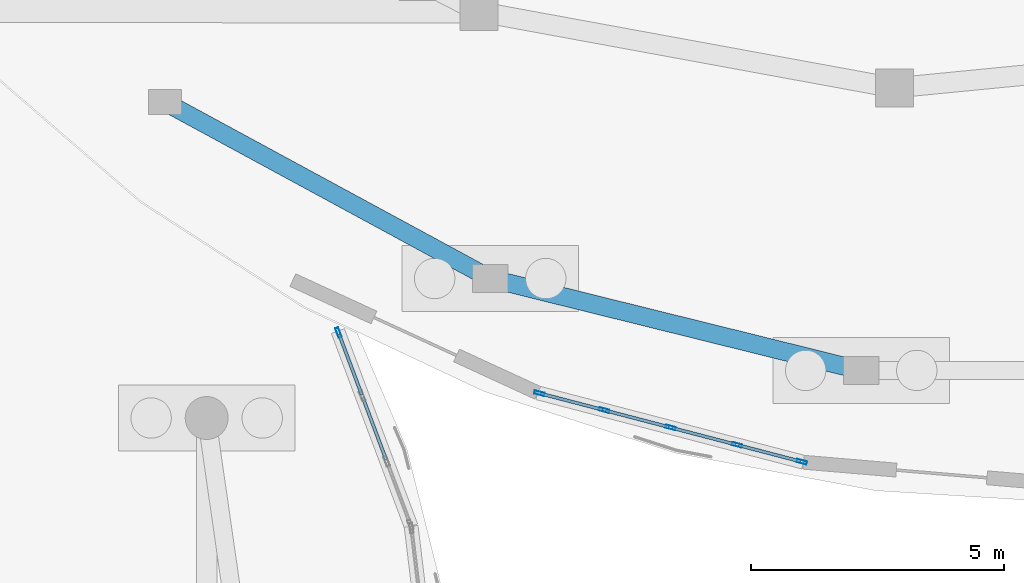
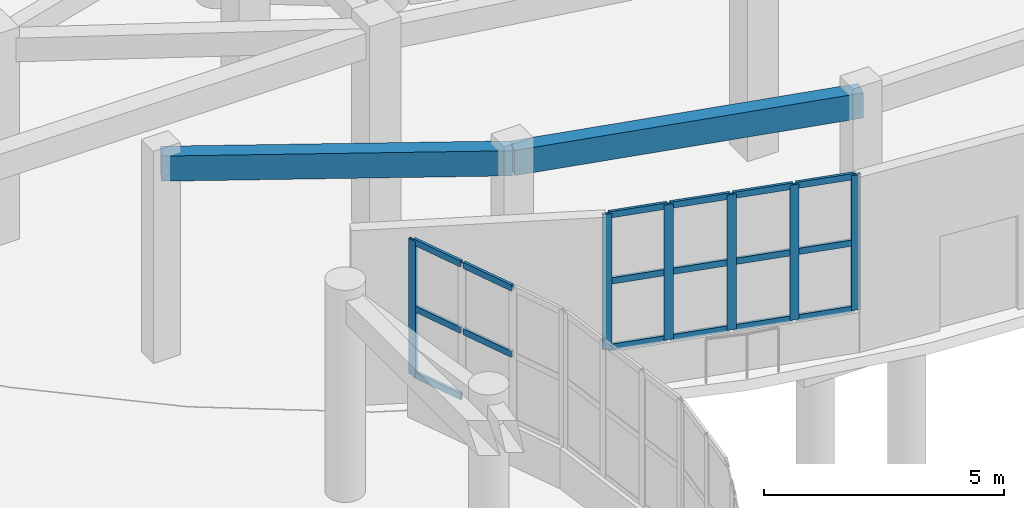
# One storey, part 31 of 96: 23 members, 2 beams, 2 elements without a shape of their own.
"""IFC4 building model written with IfcOpenShell, lengths in metres."""

from ifc_helpers import new_model, si_unit, direction, frame, origin, origin_2d, place, context, subcontext, project, spatial, rectangle, hollow_rectangle, extrude, material, layer, layer_set, material_profile, profile_set, type_object, element, aggregate, save


model = new_model("IFC4")

# Units and contexts
model_context = context("Model", 3, precision=1e-05, world=origin(), true_north=direction((0.0, 1.0)))
body_context = subcontext(model_context, "Body", "Model", "MODEL_VIEW")
ifc_project = project(units=[si_unit("LENGTHUNIT", "METRE"), si_unit("AREAUNIT", "SQUARE_METRE"), si_unit("VOLUMEUNIT", "CUBIC_METRE"), si_unit("PLANEANGLEUNIT", "RADIAN"), si_unit("MASSUNIT", "GRAM", prefix="KILO")], contexts=[model_context])

# Site, building, storey
site_placement = place(None, origin())
site = spatial("IfcSite", under=ifc_project, at=site_placement, CompositionType="ELEMENT")
building_placement = place(site_placement, origin())
building = spatial("IfcBuilding", under=site, at=building_placement, Name="Pelvatis Terrace Science Centre", CompositionType="ELEMENT")
storey_placement = place(building_placement, origin())
storey = spatial("IfcBuildingStorey", under=building, at=storey_placement, Name="L00", CompositionType="ELEMENT", Elevation=0.0)

# Curtain wall, member
ifc_material_1 = material(Name="Bronze-anodised aluminium and laminated glass", Category="aluminium")
ifc_layer = layer(ifc_material_1, 0.199951171875)
ifc_layer_set = layer_set([ifc_layer], Name="Bronze-anodised aluminium and laminated glass")
curtain_wall_type = type_object("IfcCurtainWallType", Name="CW-RIBBON-B", PredefinedType="NOTDEFINED", material=ifc_layer_set)
curtain_wall_1_placement = place(storey_placement, origin())
curtain_wall_1 = element("IfcCurtainWall", 1, at=curtain_wall_1_placement, inside=storey, type_object=curtain_wall_type, Name="Ribbon curtain wall CW-044 (L00)", PredefinedType="NOTDEFINED")
ifc_material_2 = material(Name="Bronze-anodised aluminium 6063-T6", Category="aluminium")
ifc_material_profile_1 = material_profile(ifc_material_2, hollow_rectangle(XDim=0.06494140625, YDim=0.199951171875, WallThickness=0.00439453125, at=origin_2d()), Name="ALU-MUL 65x200")
ifc_profile_set_1 = profile_set([ifc_material_profile_1], Name="Bronze-anodised aluminium 6063-T6")
member_type_1 = type_object("IfcMemberType", Name="CWM-65x200", PredefinedType="MULLION", material=ifc_profile_set_1)
member_1_placement = place(storey_placement, frame((96.92041015625, 61.08056640625, 1.02001953125), z_axis=(0.0, 0.0, 1.0), x_axis=(-0.936318231775, -0.351152628988, 0.0)))
member_1 = element("IfcMember", 2, at=member_1_placement, type_object=member_type_1, Name="CW-044 mullion 4", PredefinedType="MULLION", context=body_context, shape_type="SweptSolid", body=[
    extrude(hollow_rectangle(XDim=0.06494140625, YDim=0.199951171875, WallThickness=0.00439453125, at=origin_2d()), origin(), (0.0, 0.0, 1.0), 3.43994140625),
])

# Curtain wall, members
curtain_wall_2_placement = place(storey_placement, origin())
curtain_wall_2 = element("IfcCurtainWall", 3, at=curtain_wall_2_placement, inside=storey, type_object=curtain_wall_type, Name="Ribbon curtain wall CW-118 (L00)", PredefinedType="NOTDEFINED")
member_2_placement = place(storey_placement, frame((100.897216796875, 59.880126953125, 1.02001953125), z_axis=(0.0, 0.0, 1.0), x_axis=(0.252698088449, 0.967545180389, 0.0)))
member_2 = element("IfcMember", 4, at=member_2_placement, type_object=member_type_1, Name="CW-118 mullion 1", PredefinedType="MULLION", context=body_context, shape_type="SweptSolid", body=[
    extrude(hollow_rectangle(XDim=0.06494140625, YDim=0.199951171875, WallThickness=0.00439453125, at=origin_2d()), origin(), (0.0, 0.0, 1.0), 3.43994140625),
])
member_3_placement = place(storey_placement, frame((102.18115234375, 59.544677734375, 1.02001953125), z_axis=(0.0, 0.0, 1.0), x_axis=(0.252698088449, 0.967545180389, 0.0)))
member_3 = element("IfcMember", 5, at=member_3_placement, type_object=member_type_1, Name="CW-118 mullion 2", PredefinedType="MULLION", context=body_context, shape_type="SweptSolid", body=[
    extrude(hollow_rectangle(XDim=0.06494140625, YDim=0.199951171875, WallThickness=0.00439453125, at=origin_2d()), origin(), (0.0, 0.0, 1.0), 3.43994140625),
])
member_4_placement = place(storey_placement, frame((103.49658203125, 59.201171875, 1.02001953125), z_axis=(0.0, 0.0, 1.0), x_axis=(0.252698088449, 0.967545180389, 0.0)))
member_4 = element("IfcMember", 6, at=member_4_placement, type_object=member_type_1, Name="CW-118 mullion 3", PredefinedType="MULLION", context=body_context, shape_type="SweptSolid", body=[
    extrude(hollow_rectangle(XDim=0.06494140625, YDim=0.199951171875, WallThickness=0.00439453125, at=origin_2d()), origin(), (0.0, 0.0, 1.0), 3.43994140625),
])
member_5_placement = place(storey_placement, frame((104.812255859375, 58.857666015625, 1.02001953125), z_axis=(0.0, 0.0, 1.0), x_axis=(0.252698088449, 0.967545180389, 0.0)))
member_5 = element("IfcMember", 7, at=member_5_placement, type_object=member_type_1, Name="CW-118 mullion 4", PredefinedType="MULLION", context=body_context, shape_type="SweptSolid", body=[
    extrude(hollow_rectangle(XDim=0.06494140625, YDim=0.199951171875, WallThickness=0.00439453125, at=origin_2d()), origin(), (0.0, 0.0, 1.0), 3.43994140625),
])
member_6_placement = place(storey_placement, frame((106.09619140625, 58.522216796875, 1.02001953125), z_axis=(0.0, 0.0, 1.0), x_axis=(0.252698088449, 0.967545180389, 0.0)))
member_6 = element("IfcMember", 8, at=member_6_placement, type_object=member_type_1, Name="CW-118 mullion 5", PredefinedType="MULLION", context=body_context, shape_type="SweptSolid", body=[
    extrude(hollow_rectangle(XDim=0.06494140625, YDim=0.199951171875, WallThickness=0.00439453125, at=origin_2d()), origin(), (0.0, 0.0, 1.0), 3.43994140625),
])

# Member
ifc_material_3 = material(Name="Bronze-anodised aluminium 6063-T6", Category="aluminium")
ifc_material_profile_2 = material_profile(ifc_material_3, hollow_rectangle(XDim=0.06494140625, YDim=0.159912109375, WallThickness=0.00390625, at=origin_2d()), Name="ALU-TRN 65x160")
ifc_profile_set_2 = profile_set([ifc_material_profile_2], Name="Bronze-anodised aluminium 6063-T6")
member_type_2 = type_object("IfcMemberType", Name="CWT-65x160", PredefinedType="USERDEFINED", material=ifc_profile_set_2)
member_7_placement = place(storey_placement, frame((97.864501953125, 58.5634765625, 2.739990234375), z_axis=(-0.35108264082, 0.936344476843, 0.0), x_axis=(-0.936344476843, -0.35108264082, 0.0)))
member_7 = element("IfcMember", 9, at=member_7_placement, type_object=member_type_2, Name="CW-044 transom 2.2", ObjectType="TRANSOM", PredefinedType="USERDEFINED", context=body_context, shape_type="SweptSolid", body=[
    extrude(hollow_rectangle(XDim=0.06494140625, YDim=0.159912109375, WallThickness=0.00390625, at=origin_2d()), origin(), (0.0, 0.0, 1.0), 1.3115234375),
])

member_8_placement = place(storey_placement, frame((97.864501953125, 58.5634765625, 4.427490234375), z_axis=(-0.35108264082, 0.936344476843, 0.0), x_axis=(-0.936344476843, -0.35108264082, 0.0)))
member_8 = element("IfcMember", 10, at=member_8_placement, type_object=member_type_2, Name="CW-044 transom 2.3", ObjectType="TRANSOM", PredefinedType="USERDEFINED", context=body_context, shape_type="SweptSolid", body=[
    extrude(hollow_rectangle(XDim=0.06494140625, YDim=0.159912109375, WallThickness=0.00390625, at=origin_2d()), origin(), (0.0, 0.0, 1.0), 1.3115234375),
])

member_9_placement = place(storey_placement, frame((97.381103515625, 59.852294921875, 1.052490234375), z_axis=(-0.351165271526, 0.936313490276, 0.0), x_axis=(-0.936313490276, -0.351165271526, 0.0)))
member_9 = element("IfcMember", 11, at=member_9_placement, type_object=member_type_2, Name="CW-044 transom 3.1", ObjectType="TRANSOM", PredefinedType="USERDEFINED", context=body_context, shape_type="SweptSolid", body=[
    extrude(hollow_rectangle(XDim=0.06494140625, YDim=0.159912109375, WallThickness=0.00390625, at=origin_2d()), origin(), (0.0, 0.0, 1.0), 1.279296875),
])

member_10_placement = place(storey_placement, frame((97.381103515625, 59.852294921875, 2.739990234375), z_axis=(-0.351165271526, 0.936313490276, 0.0), x_axis=(-0.936313490276, -0.351165271526, 0.0)))
member_10 = element("IfcMember", 12, at=member_10_placement, type_object=member_type_2, Name="CW-044 transom 3.2", ObjectType="TRANSOM", PredefinedType="USERDEFINED", context=body_context, shape_type="SweptSolid", body=[
    extrude(hollow_rectangle(XDim=0.06494140625, YDim=0.159912109375, WallThickness=0.00390625, at=origin_2d()), origin(), (0.0, 0.0, 1.0), 1.279296875),
])

member_11_placement = place(storey_placement, frame((97.381103515625, 59.852294921875, 4.427490234375), z_axis=(-0.351165271526, 0.936313490276, 0.0), x_axis=(-0.936313490276, -0.351165271526, 0.0)))
member_11 = element("IfcMember", 13, at=member_11_placement, type_object=member_type_2, Name="CW-044 transom 3.3", ObjectType="TRANSOM", PredefinedType="USERDEFINED", context=body_context, shape_type="SweptSolid", body=[
    extrude(hollow_rectangle(XDim=0.06494140625, YDim=0.159912109375, WallThickness=0.00390625, at=origin_2d()), origin(), (0.0, 0.0, 1.0), 1.279296875),
])

aggregate(curtain_wall_1, [member_1, member_7, member_8, member_9, member_10, member_11])

member_12_placement = place(storey_placement, frame((100.9287109375, 59.871826171875, 1.052490234375), z_axis=(0.967551493473, -0.252673915312, 0.0), x_axis=(0.252673915312, 0.967551493473, 0.0)))
member_12 = element("IfcMember", 14, at=member_12_placement, type_object=member_type_2, Name="CW-118 transom 1.1", ObjectType="TRANSOM", PredefinedType="USERDEFINED", context=body_context, shape_type="SweptSolid", body=[
    extrude(hollow_rectangle(XDim=0.06494140625, YDim=0.159912109375, WallThickness=0.00390625, at=origin_2d()), origin(), (0.0, 0.0, 1.0), 1.261962890625),
])

member_13_placement = place(storey_placement, frame((100.9287109375, 59.871826171875, 2.739990234375), z_axis=(0.967551493473, -0.252673915312, 0.0), x_axis=(0.252673915312, 0.967551493473, 0.0)))
member_13 = element("IfcMember", 15, at=member_13_placement, type_object=member_type_2, Name="CW-118 transom 1.2", ObjectType="TRANSOM", PredefinedType="USERDEFINED", context=body_context, shape_type="SweptSolid", body=[
    extrude(hollow_rectangle(XDim=0.06494140625, YDim=0.159912109375, WallThickness=0.00390625, at=origin_2d()), origin(), (0.0, 0.0, 1.0), 1.261962890625),
])

member_14_placement = place(storey_placement, frame((100.9287109375, 59.871826171875, 4.427490234375), z_axis=(0.967551493473, -0.252673915312, 0.0), x_axis=(0.252673915312, 0.967551493473, 0.0)))
member_14 = element("IfcMember", 16, at=member_14_placement, type_object=member_type_2, Name="CW-118 transom 1.3", ObjectType="TRANSOM", PredefinedType="USERDEFINED", context=body_context, shape_type="SweptSolid", body=[
    extrude(hollow_rectangle(XDim=0.06494140625, YDim=0.159912109375, WallThickness=0.00390625, at=origin_2d()), origin(), (0.0, 0.0, 1.0), 1.261962890625),
])

member_15_placement = place(storey_placement, frame((102.212646484375, 59.53662109375, 1.052490234375), z_axis=(0.967549151995, -0.252682881246, 0.0), x_axis=(0.252682881246, 0.967549151995, 0.0)))
member_15 = element("IfcMember", 17, at=member_15_placement, type_object=member_type_2, Name="CW-118 transom 2.1", ObjectType="TRANSOM", PredefinedType="USERDEFINED", context=body_context, shape_type="SweptSolid", body=[
    extrude(hollow_rectangle(XDim=0.06494140625, YDim=0.159912109375, WallThickness=0.00390625, at=origin_2d()), origin(), (0.0, 0.0, 1.0), 1.294677734375),
])

member_16_placement = place(storey_placement, frame((102.212646484375, 59.53662109375, 2.739990234375), z_axis=(0.967549151995, -0.252682881246, 0.0), x_axis=(0.252682881246, 0.967549151995, 0.0)))
member_16 = element("IfcMember", 18, at=member_16_placement, type_object=member_type_2, Name="CW-118 transom 2.2", ObjectType="TRANSOM", PredefinedType="USERDEFINED", context=body_context, shape_type="SweptSolid", body=[
    extrude(hollow_rectangle(XDim=0.06494140625, YDim=0.159912109375, WallThickness=0.00390625, at=origin_2d()), origin(), (0.0, 0.0, 1.0), 1.294677734375),
])

member_17_placement = place(storey_placement, frame((102.212646484375, 59.53662109375, 4.427490234375), z_axis=(0.967549151995, -0.252682881246, 0.0), x_axis=(0.252682881246, 0.967549151995, 0.0)))
member_17 = element("IfcMember", 19, at=member_17_placement, type_object=member_type_2, Name="CW-118 transom 2.3", ObjectType="TRANSOM", PredefinedType="USERDEFINED", context=body_context, shape_type="SweptSolid", body=[
    extrude(hollow_rectangle(XDim=0.06494140625, YDim=0.159912109375, WallThickness=0.00390625, at=origin_2d()), origin(), (0.0, 0.0, 1.0), 1.294677734375),
])

member_18_placement = place(storey_placement, frame((103.528076171875, 59.19287109375, 1.052490234375), z_axis=(0.967549151995, -0.252682881246, 0.0), x_axis=(0.252682881246, 0.967549151995, 0.0)))
member_18 = element("IfcMember", 20, at=member_18_placement, type_object=member_type_2, Name="CW-118 transom 3.1", ObjectType="TRANSOM", PredefinedType="USERDEFINED", context=body_context, shape_type="SweptSolid", body=[
    extrude(hollow_rectangle(XDim=0.06494140625, YDim=0.159912109375, WallThickness=0.00390625, at=origin_2d()), origin(), (0.0, 0.0, 1.0), 1.294677734375),
])

member_19_placement = place(storey_placement, frame((103.528076171875, 59.19287109375, 2.739990234375), z_axis=(0.967549151995, -0.252682881246, 0.0), x_axis=(0.252682881246, 0.967549151995, 0.0)))
member_19 = element("IfcMember", 21, at=member_19_placement, type_object=member_type_2, Name="CW-118 transom 3.2", ObjectType="TRANSOM", PredefinedType="USERDEFINED", context=body_context, shape_type="SweptSolid", body=[
    extrude(hollow_rectangle(XDim=0.06494140625, YDim=0.159912109375, WallThickness=0.00390625, at=origin_2d()), origin(), (0.0, 0.0, 1.0), 1.294677734375),
])

member_20_placement = place(storey_placement, frame((103.528076171875, 59.19287109375, 4.427490234375), z_axis=(0.967549151995, -0.252682881246, 0.0), x_axis=(0.252682881246, 0.967549151995, 0.0)))
member_20 = element("IfcMember", 22, at=member_20_placement, type_object=member_type_2, Name="CW-118 transom 3.3", ObjectType="TRANSOM", PredefinedType="USERDEFINED", context=body_context, shape_type="SweptSolid", body=[
    extrude(hollow_rectangle(XDim=0.06494140625, YDim=0.159912109375, WallThickness=0.00390625, at=origin_2d()), origin(), (0.0, 0.0, 1.0), 1.294677734375),
])

member_21_placement = place(storey_placement, frame((104.84375, 58.849365234375, 1.052490234375), z_axis=(0.967551493473, -0.252673915312, 0.0), x_axis=(0.252673915312, 0.967551493473, 0.0)))
member_21 = element("IfcMember", 23, at=member_21_placement, type_object=member_type_2, Name="CW-118 transom 4.1", ObjectType="TRANSOM", PredefinedType="USERDEFINED", context=body_context, shape_type="SweptSolid", body=[
    extrude(hollow_rectangle(XDim=0.06494140625, YDim=0.159912109375, WallThickness=0.00390625, at=origin_2d()), origin(), (0.0, 0.0, 1.0), 1.261962890625),
])

member_22_placement = place(storey_placement, frame((104.84375, 58.849365234375, 2.739990234375), z_axis=(0.967551493473, -0.252673915312, 0.0), x_axis=(0.252673915312, 0.967551493473, 0.0)))
member_22 = element("IfcMember", 24, at=member_22_placement, type_object=member_type_2, Name="CW-118 transom 4.2", ObjectType="TRANSOM", PredefinedType="USERDEFINED", context=body_context, shape_type="SweptSolid", body=[
    extrude(hollow_rectangle(XDim=0.06494140625, YDim=0.159912109375, WallThickness=0.00390625, at=origin_2d()), origin(), (0.0, 0.0, 1.0), 1.261962890625),
])

member_23_placement = place(storey_placement, frame((104.84375, 58.849365234375, 4.427490234375), z_axis=(0.967551493473, -0.252673915312, 0.0), x_axis=(0.252673915312, 0.967551493473, 0.0)))
member_23 = element("IfcMember", 25, at=member_23_placement, type_object=member_type_2, Name="CW-118 transom 4.3", ObjectType="TRANSOM", PredefinedType="USERDEFINED", context=body_context, shape_type="SweptSolid", body=[
    extrude(hollow_rectangle(XDim=0.06494140625, YDim=0.159912109375, WallThickness=0.00390625, at=origin_2d()), origin(), (0.0, 0.0, 1.0), 1.261962890625),
])

aggregate(curtain_wall_2, [member_2, member_3, member_4, member_5, member_6, member_12, member_13, member_14, member_15, member_16, member_17, member_18, member_19, member_20, member_21, member_22, member_23])

# Beams
ifc_material_4 = material(Name="Concrete C35/45", Category="concrete")
ifc_material_profile_3 = material_profile(ifc_material_4, rectangle(XDim=0.360107421875, YDim=0.639892578125, at=origin_2d()), Name="RC-SPN 360x640")
ifc_profile_set_3 = profile_set([ifc_material_profile_3], Name="Concrete C35/45")
beam_type = type_object("IfcBeamType", Name="SPN-RC-360x640", PredefinedType="SPANDREL", material=ifc_profile_set_3)
beam_1_placement = place(storey_placement, frame((93.484130859375, 65.64453125, 4.820068359375), z_axis=(0.879051735315, -0.476726385509, 0.0), x_axis=(0.476726385509, 0.879051735315, 0.0)))
element("IfcBeam", 26, at=beam_1_placement, inside=storey, type_object=beam_type, Name="Spandrel SP-L00-2294", PredefinedType="SPANDREL", context=body_context, shape_type="SweptSolid", body=[
    extrude(rectangle(XDim=0.360107421875, YDim=0.639892578125, at=origin_2d()), origin(), (0.0, 0.0, 1.0), 7.327392578125),
])
beam_2_placement = place(storey_placement, frame((99.92529296875, 62.1513671875, 4.820068359375), z_axis=(0.970647009087, -0.240508593923, 0.0), x_axis=(0.240508593923, 0.970647009087, 0.0)))
element("IfcBeam", 27, at=beam_2_placement, inside=storey, type_object=beam_type, Name="Spandrel SP-L00-2295", PredefinedType="SPANDREL", context=body_context, shape_type="SweptSolid", body=[
    extrude(rectangle(XDim=0.360107421875, YDim=0.639892578125, at=origin_2d()), origin(), (0.0, 0.0, 1.0), 7.568603515625),
])

save(model, "model.ifc")
